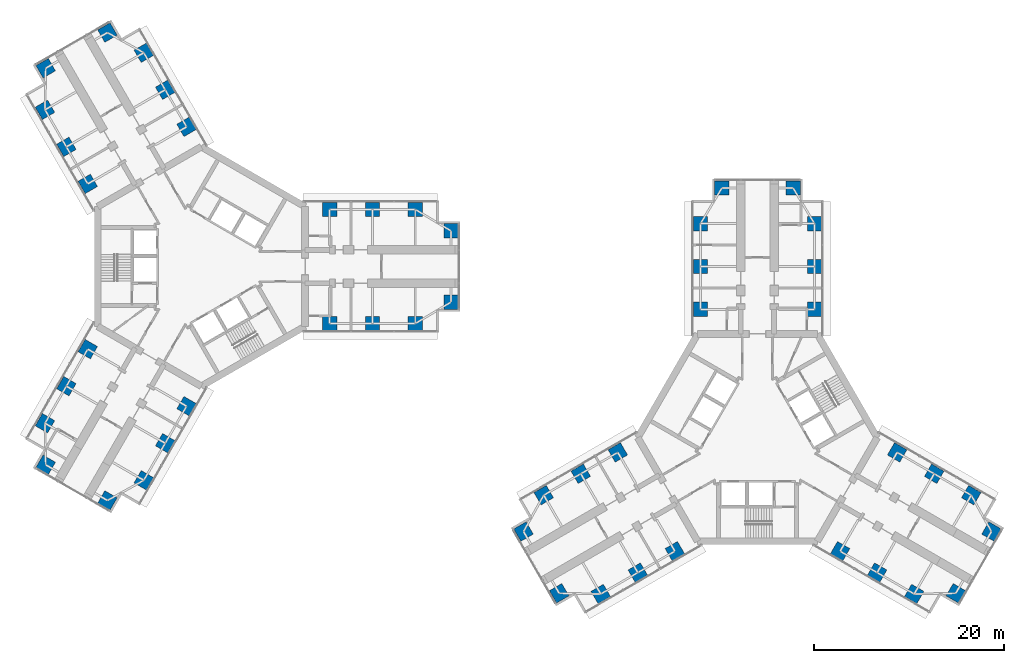
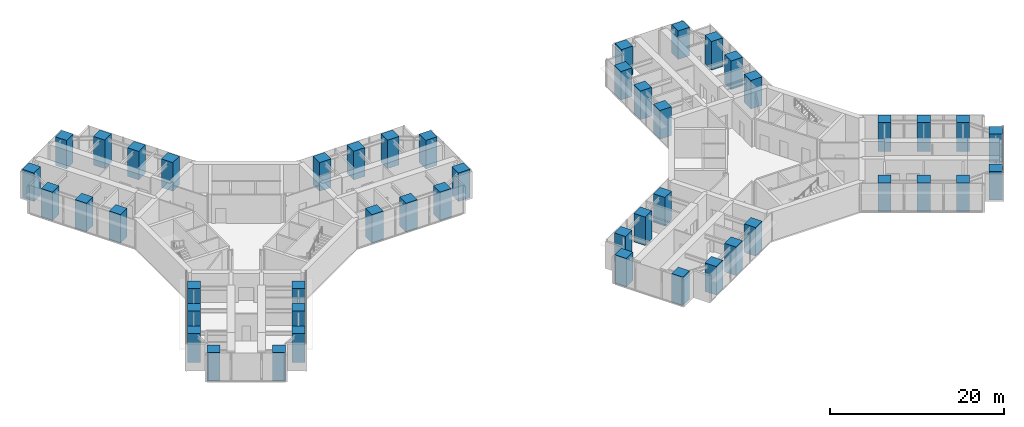
# One storey, part 1 of 23: 48 columns.
"""IFC4 building model written with IfcOpenShell, lengths in metres."""

from ifc_helpers import new_model, si_unit, direction, frame, origin, origin_2d, place, context, subcontext, project, spatial, rectangle, extrude, material, material_profile, profile_set, type_object, element, save


model = new_model("IFC4")

# Units and contexts
model_context = context("Model", 3, precision=1e-05, world=origin(), true_north=direction((0.0, 1.0)))
body_context = subcontext(model_context, "Body", "Model", "MODEL_VIEW")
ifc_project = project(units=[si_unit("LENGTHUNIT", "METRE"), si_unit("AREAUNIT", "SQUARE_METRE"), si_unit("VOLUMEUNIT", "CUBIC_METRE"), si_unit("PLANEANGLEUNIT", "RADIAN"), si_unit("MASSUNIT", "GRAM", prefix="KILO")], contexts=[model_context])

# Site, building, storey
site_placement = place(None, origin())
site = spatial("IfcSite", under=ifc_project, at=site_placement, CompositionType="ELEMENT")
building_placement = place(site_placement, origin())
building = spatial("IfcBuilding", under=site, at=building_placement, Name="Upepo Twin Towers", CompositionType="ELEMENT")
storey_placement = place(building_placement, frame((0.0, 0.0, 24.5)))
storey = spatial("IfcBuildingStorey", under=building, at=storey_placement, Name="L05", CompositionType="ELEMENT", Elevation=24.5)

# Columns
ifc_material = material(Name="Concrete C60/75", Category="concrete")
ifc_material_profile = material_profile(ifc_material, rectangle(XDim=1.5, YDim=1.5, at=origin_2d()), Name="RC 1500x1500")
ifc_profile_set = profile_set([ifc_material_profile], Name="Concrete C60/75")
column_type = type_object("IfcColumnType", Name="Tower column RC 1500x1500", PredefinedType="COLUMN", material=ifc_profile_set)
for number, where, z_axis, x_axis, name in (
    (1, (13.5, 6.0, 0.0), (0.0, 0.0, 1.0), (1.0, 0.0, 0.0), "T1 column AL135"),
    (2, (13.5, -6.0, 0.0), (0.0, 0.0, 1.0), (1.0, 0.0, 0.0), "T1 column AR135"),
    (3, (18.0, 6.0, 0.0), (0.0, 0.0, 1.0), (1.0, 0.0, 0.0), "T1 column AL180"),
    (4, (18.0, -6.0, 0.0), (0.0, 0.0, 1.0), (1.0, 0.0, 0.0), "T1 column AR180"),
    (5, (22.5, 6.0, 0.0), (0.0, 0.0, 1.0), (1.0, 0.0, 0.0), "T1 column AL225"),
    (6, (22.5, -6.0, 0.0), (0.0, 0.0, 1.0), (1.0, 0.0, 0.0), "T1 column AR225"),
    (7, (26.25, 3.75, 0.0), (0.0, 0.0, 1.0), (1.0, 0.0, 0.0), "T1 column ALN"),
    (8, (26.25, -3.75, 0.0), (0.0, 0.0, 1.0), (1.0, 0.0, 0.0), "T1 column ARN"),
    (9, (-11.946044921875, 8.69140625, 0.0), (0.0, 0.0, 1.0), (0.866025403784, 0.5, 0.0), "T1 column BL135"),
    (10, (-1.553955078125, 14.69140625, 0.0), (0.0, 0.0, 1.0), (0.866025403784, 0.5, 0.0), "T1 column BR135"),
    (11, (-14.196044921875, 12.58837890625, 0.0), (0.0, 0.0, 1.0), (0.866025403784, 0.5, 0.0), "T1 column BL180"),
    (12, (-3.803955078125, 18.58837890625, 0.0), (0.0, 0.0, 1.0), (0.866025403784, 0.5, 0.0), "T1 column BR180"),
    (13, (-16.446044921875, 16.485595703125, 0.0), (0.0, 0.0, 1.0), (0.866025403784, 0.5, 0.0), "T1 column BL225"),
    (14, (-6.053955078125, 22.485595703125, 0.0), (0.0, 0.0, 1.0), (0.866025403784, 0.5, 0.0), "T1 column BR225"),
    (15, (-16.37255859375, 20.858154296875, 0.0), (0.0, 0.0, 1.0), (0.866025403784, 0.5, 0.0), "T1 column BLN"),
    (16, (-9.87744140625, 24.608154296875, 0.0), (0.0, 0.0, 1.0), (0.866025403784, 0.5, 0.0), "T1 column BRN"),
    (17, (-1.553955078125, -14.69140625, 0.0), (0.0, 0.0, 1.0), (0.5, 0.866025403784, 0.0), "T1 column CL135"),
    (18, (-11.946044921875, -8.69140625, 0.0), (0.0, 0.0, 1.0), (0.5, 0.866025403784, 0.0), "T1 column CR135"),
    (19, (-3.803955078125, -18.58837890625, 0.0), (0.0, 0.0, 1.0), (0.5, 0.866025403784, 0.0), "T1 column CL180"),
    (20, (-14.196044921875, -12.58837890625, 0.0), (0.0, 0.0, 1.0), (0.5, 0.866025403784, 0.0), "T1 column CR180"),
    (21, (-6.053955078125, -22.485595703125, 0.0), (0.0, 0.0, 1.0), (0.5, 0.866025403784, 0.0), "T1 column CL225"),
    (22, (-16.446044921875, -16.485595703125, 0.0), (0.0, 0.0, 1.0), (0.5, 0.866025403784, 0.0), "T1 column CR225"),
    (23, (-9.87744140625, -24.608154296875, 0.0), (0.0, 0.0, 1.0), (0.5, 0.866025403784, 0.0), "T1 column CLN"),
    (24, (-16.37255859375, -20.858154296875, 0.0), (0.0, 0.0, 1.0), (0.5, 0.866025403784, 0.0), "T1 column CRN"),
    (25, (52.5, -4.5, 0.0), (0.0, 0.0, 1.0), (1.0, 0.0, 0.0), "T2 column AL135"),
    (26, (64.5, -4.5, 0.0), (0.0, 0.0, 1.0), (1.0, 0.0, 0.0), "T2 column AR135"),
    (27, (52.5, 0.0, 0.0), (0.0, 0.0, 1.0), (1.0, 0.0, 0.0), "T2 column AL180"),
    (28, (64.5, 0.0, 0.0), (0.0, 0.0, 1.0), (1.0, 0.0, 0.0), "T2 column AR180"),
    (29, (52.5, 4.5, 0.0), (0.0, 0.0, 1.0), (1.0, 0.0, 0.0), "T2 column AL225"),
    (30, (64.5, 4.5, 0.0), (0.0, 0.0, 1.0), (1.0, 0.0, 0.0), "T2 column AR225"),
    (31, (54.75, 8.25, 0.0), (0.0, 0.0, 1.0), (1.0, 0.0, 0.0), "T2 column ALN"),
    (32, (62.25, 8.25, 0.0), (0.0, 0.0, 1.0), (1.0, 0.0, 0.0), "T2 column ARN"),
    (33, (49.80859375, -29.946044921875, 0.0), (0.0, 0.0, 1.0), (0.866025403784, 0.5, 0.0), "T2 column BL135"),
    (34, (43.80859375, -19.553955078125, 0.0), (0.0, 0.0, 1.0), (0.866025403784, 0.5, 0.0), "T2 column BR135"),
    (35, (45.91162109375, -32.196044921875, 0.0), (0.0, 0.0, 1.0), (0.866025403784, 0.5, 0.0), "T2 column BL180"),
    (36, (39.91162109375, -21.803955078125, 0.0), (0.0, 0.0, 1.0), (0.866025403784, 0.5, 0.0), "T2 column BR180"),
    (37, (42.014404296875, -34.446044921875, 0.0), (0.0, 0.0, 1.0), (0.866025403784, 0.5, 0.0), "T2 column BL225"),
    (38, (36.014404296875, -24.053955078125, 0.0), (0.0, 0.0, 1.0), (0.866025403784, 0.5, 0.0), "T2 column BR225"),
    (39, (37.641845703125, -34.37255859375, 0.0), (0.0, 0.0, 1.0), (0.866025403784, 0.5, 0.0), "T2 column BLN"),
    (40, (33.891845703125, -27.87744140625, 0.0), (0.0, 0.0, 1.0), (0.866025403784, 0.5, 0.0), "T2 column BRN"),
    (41, (73.19140625, -19.553955078125, 0.0), (0.0, 0.0, 1.0), (0.5, 0.866025403784, 0.0), "T2 column CL135"),
    (42, (67.19140625, -29.946044921875, 0.0), (0.0, 0.0, 1.0), (0.5, 0.866025403784, 0.0), "T2 column CR135"),
    (43, (77.08837890625, -21.803955078125, 0.0), (0.0, 0.0, 1.0), (0.5, 0.866025403784, 0.0), "T2 column CL180"),
    (44, (71.08837890625, -32.196044921875, 0.0), (0.0, 0.0, 1.0), (0.5, 0.866025403784, 0.0), "T2 column CR180"),
    (45, (80.985595703125, -24.053955078125, 0.0), (0.0, 0.0, 1.0), (0.5, 0.866025403784, 0.0), "T2 column CL225"),
    (46, (74.985595703125, -34.446044921875, 0.0), (0.0, 0.0, 1.0), (0.5, 0.866025403784, 0.0), "T2 column CR225"),
    (47, (83.108154296875, -27.87744140625, 0.0), (0.0, 0.0, 1.0), (0.5, 0.866025403784, 0.0), "T2 column CLN"),
    (48, (79.358154296875, -34.37255859375, 0.0), (0.0, 0.0, 1.0), (0.5, 0.866025403784, 0.0), "T2 column CRN"),
):
    element("IfcColumn", number, at=place(storey_placement, frame(where, z_axis=z_axis, x_axis=x_axis)), inside=storey, type_object=column_type, Name=name, PredefinedType="COLUMN", context=body_context, shape_type="SweptSolid", body=[
        extrude(rectangle(XDim=1.5, YDim=1.5, at=origin_2d()), origin(), (0.0, 0.0, 1.0), 4.0),
    ])

save(model, "model.ifc")
